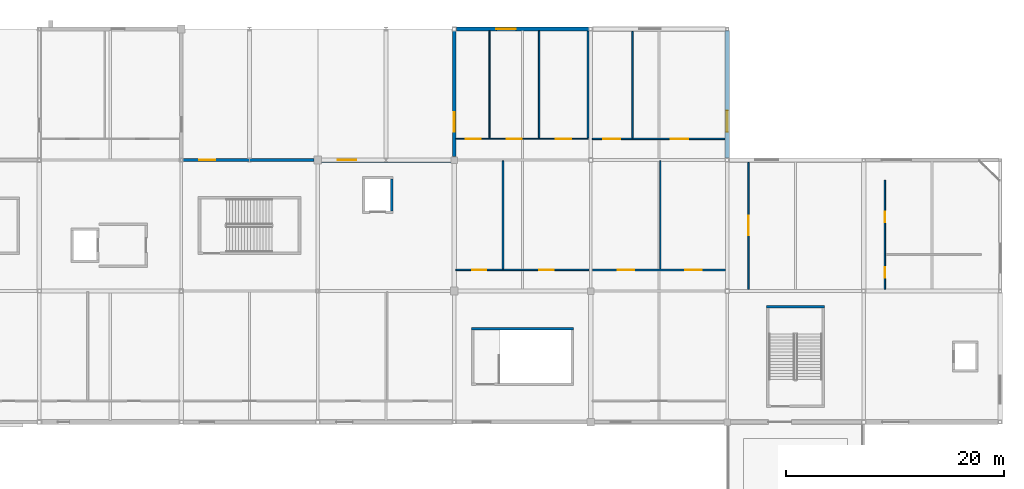
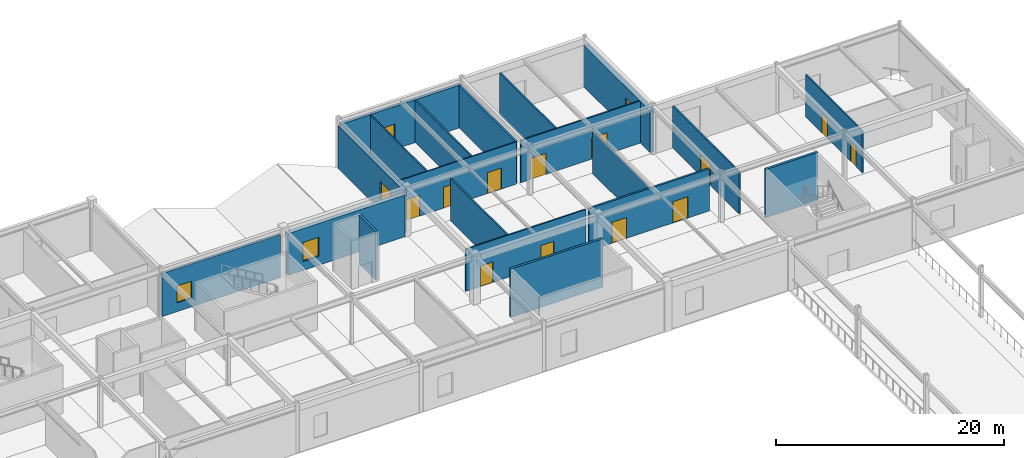
# One storey, part 83 of 105: 20 walls, 12 doors, 5 windows, 17 openings.
"""IFC4 building model written with IfcOpenShell, lengths in metres."""

import ifcopenshell
import ifcopenshell.guid

model = None  # the IFC model being written
_history = None  # IfcOwnerHistory: only IFC2X3 demands one
_inside = {}  # id of a spatial element -> (the spatial element, [elements in it])
_under = {}  # id of a project, library or spatial element -> (it, [spatial elements below it])
_declared = {}  # id of a project -> (the project, [libraries it declares])
_typed = {}  # id of a type object -> (the type object, [elements of that type])
_made_of = {}  # id of a material, layer set ... -> (it, [elements and type objects made of it])


def new_model(schema):
    """Start an empty IFC model of exactly this schema.

    Asked for "IFC4X3", IfcOpenShell would pick the latest addendum, in which some entities
    have other attributes; the version numbers below select the first issue.
    IFC2X3 requires an IfcOwnerHistory on every rooted entity: one is made here for all.
    """
    global model, _history
    if schema == "IFC4X3":
        model = ifcopenshell.file(schema_version=(4, 3, 0, 0))
    else:
        model = ifcopenshell.file(schema=schema)
    _inside.clear()
    _under.clear()
    _declared.clear()
    _typed.clear()
    _made_of.clear()
    _history = None
    if model.schema == "IFC2X3":
        org = make("IfcOrganization", Name="unknown")
        user = make(
            "IfcPersonAndOrganization",
            ThePerson=make("IfcPerson", FamilyName="unknown"),
            TheOrganization=org,
        )
        app = make(
            "IfcApplication",
            ApplicationDeveloper=org,
            Version="unknown",
            ApplicationFullName="unknown",
            ApplicationIdentifier="unknown",
        )
        _history = make(
            "IfcOwnerHistory",
            OwningUser=user,
            OwningApplication=app,
            ChangeAction="ADDED",
            CreationDate=0,
        )
    return model


def make(cls, **values):
    """One entity of the class cls with the attributes given. An attribute that is None is left unset."""
    return model.create_entity(
        cls, **{name: value for name, value in values.items() if value is not None}
    )


def rooted(cls, **values):
    """An entity with a GlobalId (a new one), such as an element, a storey or a relation."""
    return make(cls, GlobalId=ifcopenshell.guid.new(), OwnerHistory=_history, **values)


def si_unit(unit_type, name, prefix=None):
    """IfcSIUnit, for example si_unit("LENGTHUNIT", "METRE", prefix="MILLI")."""
    return make("IfcSIUnit", UnitType=unit_type, Prefix=prefix, Name=name)


def assignment(units):
    """IfcUnitAssignment: the units of a project."""
    return None if units is None else make("IfcUnitAssignment", Units=units)


def point(xyz):
    """IfcCartesianPoint."""
    return None if xyz is None else make("IfcCartesianPoint", Coordinates=xyz)


def direction(xyz):
    """IfcDirection."""
    return None if xyz is None else make("IfcDirection", DirectionRatios=xyz)


def frame(location, z_axis=None, x_axis=None):
    """IfcAxis2Placement3D, a coordinate frame: its origin and axes. An axis left out is left unset."""
    return make(
        "IfcAxis2Placement3D",
        Location=point(location),
        Axis=direction(z_axis),
        RefDirection=direction(x_axis),
    )


def frame_2d(location, x_axis=None):
    """IfcAxis2Placement2D, a coordinate frame in the plane: its origin and x axis."""
    return make(
        "IfcAxis2Placement2D", Location=point(location), RefDirection=direction(x_axis)
    )


def origin():
    """The frame at (0, 0, 0) with its axes left unset."""
    return frame((0.0, 0.0, 0.0))


def place(relative_to, where):
    """IfcLocalPlacement: puts the frame where relative to a parent placement (None: the world)."""
    return make(
        "IfcLocalPlacement", PlacementRelTo=relative_to, RelativePlacement=where
    )


def context(
    kind, dimensions, precision=None, world=None, true_north=None, identifier=None
):
    """IfcGeometricRepresentationContext, for example the 3D "Model" context."""
    return make(
        "IfcGeometricRepresentationContext",
        ContextIdentifier=identifier,
        ContextType=kind,
        CoordinateSpaceDimension=dimensions,
        Precision=precision,
        WorldCoordinateSystem=world,
        TrueNorth=true_north,
    )


def subcontext(parent, identifier, kind, view, scale=None):
    """IfcGeometricRepresentationSubContext, for example "Body" below "Model"."""
    return make(
        "IfcGeometricRepresentationSubContext",
        ContextIdentifier=identifier,
        ContextType=kind,
        ParentContext=parent,
        TargetScale=scale,
        TargetView=view,
    )


def project(units=None, contexts=None):
    """IfcProject with its units and contexts."""
    return rooted(
        "IfcProject",
        Name="project",
        RepresentationContexts=contexts,
        UnitsInContext=assignment(units),
    )


def spatial(cls, under=None, at=None, **own):
    """A site, building, storey or space (cls), placed at a placement, below another one or the project."""
    s = rooted(cls, ObjectPlacement=at, **own)
    if under is not None:
        _under.setdefault(under.id(), (under, []))[1].append(s)
    return s


def profile(cls, at=None, kind="AREA", **sizes):
    """A parametric profile (cls). Its sizes go by their IFC names, for example OverallWidth=200.0."""
    return make(cls, ProfileType=kind, Position=at, **sizes)


def rectangle(**sizes):
    """IfcRectangleProfileDef."""
    return profile("IfcRectangleProfileDef", **sizes)


def extrude(swept, where, along, depth):
    """IfcExtrudedAreaSolid: the profile swept, set in the frame where, extruded along a direction by depth."""
    return make(
        "IfcExtrudedAreaSolid",
        SweptArea=swept,
        Position=where,
        ExtrudedDirection=direction(along),
        Depth=depth,
    )


def shape(context_of_items, identifier, shape_type, items):
    """IfcShapeRepresentation: the items that make up one representation, for example the "Body"."""
    return make(
        "IfcShapeRepresentation",
        ContextOfItems=context_of_items,
        RepresentationIdentifier=identifier,
        RepresentationType=shape_type,
        Items=items,
    )


def material(Name=None, Category=None):
    """IfcMaterial."""
    return make("IfcMaterial", Name=Name, Category=Category)


def layer(
    of_material, thickness, ventilated=None, Name=None, Category=None, Priority=None
):
    """IfcMaterialLayer: one layer of a wall or slab, of a material (None: an air gap)."""
    return make(
        "IfcMaterialLayer",
        Material=of_material,
        LayerThickness=thickness,
        IsVentilated=ventilated,
        Name=Name,
        Category=Category,
        Priority=Priority,
    )


def layer_set(layers, Name=None):
    """IfcMaterialLayerSet."""
    return make("IfcMaterialLayerSet", MaterialLayers=layers, LayerSetName=Name)


def made_of(thing, what):
    """Note that an element or type object is made of a material, layer set ...; save() writes the relation."""
    if what is not None:
        _made_of.setdefault(what.id(), (what, []))[1].append(thing)
    return thing


def type_object(cls, material=None, **own):
    """A type object (cls), such as IfcWallType, which elements share."""
    return made_of(rooted(cls, **own), material)


def element(
    cls,
    number,
    at=None,
    inside=None,
    cuts=None,
    type_object=None,
    material=None,
    context=None,
    identifier="Body",
    shape_type=None,
    held_by="IfcProductDefinitionShape",
    body=None,
    shapes=None,
    **own,
):
    """One element of the class cls, such as IfcWall. Its Tag is "e" and its number.

    at: its placement. inside: the storey or other place that contains it. cuts: it is an
    opening in that element (IfcRelVoidsElement). A single representation is given by context,
    identifier, shape_type and body (its items); several are given by shapes. held_by: the class
    of the entity that holds the representations. save() writes the other relations.
    """
    e = rooted(cls, Tag="e%d" % number, ObjectPlacement=at, **own)
    if body is not None:
        shapes = [shape(context, identifier, shape_type, body)]
    if shapes is not None:
        e.Representation = make(held_by, Representations=shapes)
    if inside is not None:
        _inside.setdefault(inside.id(), (inside, []))[1].append(e)
    if cuts is not None:
        rooted(
            "IfcRelVoidsElement", RelatingBuildingElement=cuts, RelatedOpeningElement=e
        )
    if type_object is not None:
        _typed.setdefault(type_object.id(), (type_object, []))[1].append(e)
    return made_of(e, material)


def fill(opening, filler):
    """IfcRelFillsElement: the door or window that sits in an opening."""
    return rooted(
        "IfcRelFillsElement",
        RelatingOpeningElement=opening,
        RelatedBuildingElement=filler,
    )


def aggregate(whole, parts):
    """IfcRelAggregates: a whole, such as a stair, and the parts it consists of."""
    return rooted("IfcRelAggregates", RelatingObject=whole, RelatedObjects=parts)


def save(model, path):
    """Write the relations noted so far, then the file.

    IfcRelAggregates (storeys below a building ...), IfcRelContainedInSpatialStructure (elements
    in a storey), IfcRelDefinesByType, IfcRelAssociatesMaterial and IfcRelDeclares: one each for
    every whole, place, type object, material and project.
    """
    for whole, parts in _under.values():
        aggregate(whole, parts)
    for where, things in _inside.values():
        rooted(
            "IfcRelContainedInSpatialStructure",
            RelatedElements=things,
            RelatingStructure=where,
        )
    for kind, things in _typed.values():
        rooted("IfcRelDefinesByType", RelatedObjects=things, RelatingType=kind)
    for what, things in _made_of.values():
        rooted("IfcRelAssociatesMaterial", RelatedObjects=things, RelatingMaterial=what)
    for by, libraries in _declared.values():
        rooted("IfcRelDeclares", RelatingContext=by, RelatedDefinitions=libraries)
    model.write(path)


model = new_model("IFC4")

# Units and contexts
model_context = context("Model", 3, precision=1e-05, world=origin(), true_north=direction((0.0, 1.0)))
body_context = subcontext(model_context, "Body", "Model", "MODEL_VIEW")
ifc_project = project(units=[si_unit("LENGTHUNIT", "METRE"), si_unit("AREAUNIT", "SQUARE_METRE"), si_unit("VOLUMEUNIT", "CUBIC_METRE"), si_unit("PLANEANGLEUNIT", "RADIAN"), si_unit("MASSUNIT", "GRAM", prefix="KILO")], contexts=[model_context])

# Site, building, storey
site_placement = place(None, origin())
site = spatial("IfcSite", under=ifc_project, at=site_placement, CompositionType="ELEMENT")
building_placement = place(site_placement, origin())
building = spatial("IfcBuilding", under=site, at=building_placement, Name="Kazenohara Klinker Stadium", CompositionType="ELEMENT")
storey_placement = place(building_placement, frame((0.0, 0.0, 20.39990234375)))
storey = spatial("IfcBuildingStorey", under=building, at=storey_placement, Name="L04", CompositionType="ELEMENT", Elevation=20.39990234375)

# Walls
ifc_material_1 = material(Name="Concrete C40/50", Category="concrete")
ifc_layer_1 = layer(ifc_material_1, 0.22998046875)
ifc_layer_set_1 = layer_set([ifc_layer_1], Name="Concrete C40/50")
wall_type_1 = type_object("IfcWallType", Name="WAL-CORE-230", PredefinedType="SHEAR", material=ifc_layer_set_1)
wall_1_placement = place(storey_placement, frame((178.590087890625, 142.56494140625, 0.0), z_axis=(0.0, 0.0, 1.0), x_axis=(1.0, 0.0, 0.0)))
element("IfcWall", 1, at=wall_1_placement, inside=storey, type_object=wall_type_1, Name="Stairwell shear wall ST12 L04 North", PredefinedType="SHEAR", context=body_context, shape_type="SweptSolid", body=[
    extrude(rectangle(XDim=5.31982421875, YDim=0.22998046875, at=frame_2d((2.659912109375, 0.0))), origin(), (0.0, 0.0, 1.0), 5.18017578125),
])
wall_2_placement = place(storey_placement, frame((151.570068359375, 140.544921875, 0.0), z_axis=(0.0, 0.0, 1.0), x_axis=(1.0, 0.0, 0.0)))
element("IfcWall", 2, at=wall_2_placement, inside=storey, type_object=wall_type_1, Name="Stairwell shear wall ST20 L04 North", PredefinedType="SHEAR", context=body_context, shape_type="SweptSolid", body=[
    extrude(rectangle(XDim=9.35986328125, YDim=0.22998046875, at=frame_2d((4.679931640625, 0.0))), origin(), (0.0, 0.0, 1.0), 5.18017578125),
])
wall_3_placement = place(storey_placement, frame((144.264892578125, 151.35009765625, 0.0), z_axis=(0.0, 0.0, 1.0), x_axis=(0.0, 1.0, 0.0)))
element("IfcWall", 3, at=wall_3_placement, inside=storey, type_object=wall_type_1, Name="Elevator shaft wall LG02 L04 East", PredefinedType="SHEAR", context=body_context, shape_type="SweptSolid", body=[
    extrude(rectangle(XDim=2.89990234375, YDim=0.22998046875, at=frame_2d((1.449951171875, 0.0))), origin(), (0.0, 0.0, 1.0), 5.18017578125),
])

# Wall, opening, window
ifc_material_2 = material(Name="Clinker brick masonry", Category="masonry")
ifc_layer_2 = layer(ifc_material_2, 0.280029296875)
ifc_layer_set_2 = layer_set([ifc_layer_2], Name="Clinker brick masonry")
wall_type_2 = type_object("IfcWallType", Name="WAL-EXT-CB280", PredefinedType="SOLIDWALL", material=ifc_layer_set_2)
wall_4_placement = place(storey_placement, frame((125.12890625, 156.0, 0.0), z_axis=(0.0, 0.0, 1.0), x_axis=(1.0, 0.0, 0.0)))
wall_4 = element("IfcWall", 4, at=wall_4_placement, inside=storey, type_object=wall_type_2, Name="Clinker brick cavity wall EW06 L04 X10-13", PredefinedType="SOLIDWALL", context=body_context, shape_type="SweptSolid", body=[
    extrude(rectangle(XDim=12.01708984375, YDim=0.280029296875, at=frame_2d((6.008544921875, 0.0))), origin(), (0.0, 0.0, 1.0), 4.592041015625),
])
opening_1_placement = place(wall_4_placement, frame((1.5, 0.0, 0.949951171875)))
opening_1 = element("IfcOpeningElement", 5, at=opening_1_placement, cuts=wall_4, Name="Opening W09", PredefinedType="OPENING", context=body_context, shape_type="SweptSolid", body=[
    extrude(rectangle(XDim=1.5, YDim=1.800048828125, at=frame_2d((0.75, 0.89990234375))), frame((0.0, 0.14990234375, 0.0), z_axis=(0.0, -1.0, 0.0), x_axis=(1.0, 0.0, 0.0)), (0.0, 0.0, 1.0), 0.300048828125),
])
ifc_material_3 = material(Name="Dark bronze aluminium frame and triple glazing", Category="aluminium")
window_type_1 = type_object("IfcWindowType", Name="WIN-AS-09", PartitioningType="SINGLE_PANEL", PredefinedType="WINDOW", material=ifc_material_3)
window_1_placement = place(opening_1_placement, origin())
window_1 = element("IfcWindow", 6, at=window_1_placement, inside=storey, type_object=window_type_1, Name="Horizontal-mullion ladder window W09 L04 X10-13", OverallHeight=1.800048828125, OverallWidth=1.5, PartitioningType="SINGLE_PANEL", PredefinedType="WINDOW", context=body_context, shape_type="SweptSolid", body=[
    extrude(rectangle(XDim=1.5, YDim=1.800048828125, at=frame_2d((0.75, 0.89990234375))), frame((0.0, 0.030029296875, 0.0), z_axis=(0.0, -1.0, 0.0), x_axis=(1.0, 0.0, 0.0)), (0.0, 0.0, 1.0), 0.06005859375),
])
fill(opening_1, window_1)

ifc_layer_3 = layer(ifc_material_2, 0.31005859375)
ifc_layer_set_3 = layer_set([ifc_layer_3], Name="Clinker brick masonry")
wall_type_3 = type_object("IfcWallType", Name="WAL-EXT-CB310", PredefinedType="SOLIDWALL", material=ifc_layer_set_3)
wall_5_placement = place(storey_placement, frame((150.0, 156.303955078125, 0.0), z_axis=(0.0, 0.0, 1.0), x_axis=(0.0, 1.0, 0.0)))
wall_5 = element("IfcWall", 7, at=wall_5_placement, inside=storey, type_object=wall_type_3, Name="Clinker brick cavity wall EW05 L04 Y12-13", PredefinedType="SOLIDWALL", context=body_context, shape_type="SweptSolid", body=[
    extrude(rectangle(XDim=11.491943359375, YDim=0.31005859375, at=frame_2d((5.74609375, 0.0))), origin(), (0.0, 0.0, 1.0), 4.580078125),
])
opening_2_placement = place(wall_5_placement, frame((2.26611328125, 0.0, 0.949951171875)))
opening_2 = element("IfcOpeningElement", 8, at=opening_2_placement, cuts=wall_5, Name="Opening W14", PredefinedType="OPENING", context=body_context, shape_type="SweptSolid", body=[
    extrude(rectangle(XDim=1.800048828125, YDim=2.14990234375, at=frame_2d((0.89990234375, 1.074951171875))), frame((0.0, 0.1650390625, 0.0), z_axis=(0.0, -1.0, 0.0), x_axis=(1.0, 0.0, 0.0)), (0.0, 0.0, 1.0), 0.330078125),
])
window_type_2 = type_object("IfcWindowType", Name="WIN-AS-14", PartitioningType="SINGLE_PANEL", PredefinedType="WINDOW", material=ifc_material_3)
window_2_placement = place(opening_2_placement, origin())
window_2 = element("IfcWindow", 9, at=window_2_placement, inside=storey, type_object=window_type_2, Name="Horizontal-mullion ladder window W14 L04 Y12-13", OverallHeight=2.14990234375, OverallWidth=1.800048828125, PartitioningType="SINGLE_PANEL", PredefinedType="WINDOW", context=body_context, shape_type="SweptSolid", body=[
    extrude(rectangle(XDim=1.800048828125, YDim=2.14990234375, at=frame_2d((0.89990234375, 1.074951171875))), frame((0.0, 0.030029296875, 0.0), z_axis=(0.0, -1.0, 0.0), x_axis=(1.0, 0.0, 0.0)), (0.0, 0.0, 1.0), 0.06005859375),
])
fill(opening_2, window_2)

ifc_layer_4 = layer(ifc_material_2, 0.340087890625)
ifc_layer_set_4 = layer_set([ifc_layer_4], Name="Clinker brick masonry")
wall_type_4 = type_object("IfcWallType", Name="WAL-EXT-CB340", PredefinedType="SOLIDWALL", material=ifc_layer_set_4)
wall_6_placement = place(storey_placement, frame((150.2041015625, 168.0, 0.0), z_axis=(0.0, 0.0, 1.0), x_axis=(1.0, 0.0, 0.0)))
wall_6 = element("IfcWall", 10, at=wall_6_placement, inside=storey, type_object=wall_type_4, Name="Clinker brick cavity wall EW04 L04 X12-14", PredefinedType="SOLIDWALL", context=body_context, shape_type="SweptSolid", body=[
    extrude(rectangle(XDim=12.116943359375, YDim=0.340087890625, at=frame_2d((6.05859375, 0.0))), origin(), (0.0, 0.0, 1.0), 4.592041015625),
])
opening_3_placement = place(wall_6_placement, frame((3.650146484375, 0.0, 0.949951171875)))
opening_3 = element("IfcOpeningElement", 11, at=opening_3_placement, cuts=wall_6, Name="Opening W13", PredefinedType="OPENING", context=body_context, shape_type="SweptSolid", body=[
    extrude(rectangle(XDim=1.800048828125, YDim=1.75, at=frame_2d((0.89990234375, 0.875))), frame((0.0, 0.18017578125, 0.0), z_axis=(0.0, -1.0, 0.0), x_axis=(1.0, 0.0, 0.0)), (0.0, 0.0, 1.0), 0.360107421875),
])
window_type_3 = type_object("IfcWindowType", Name="WIN-AS-13", PartitioningType="SINGLE_PANEL", PredefinedType="WINDOW", material=ifc_material_3)
window_3_placement = place(opening_3_placement, origin())
window_3 = element("IfcWindow", 12, at=window_3_placement, inside=storey, type_object=window_type_3, Name="Horizontal-mullion ladder window W13 L04 X12-14", OverallHeight=1.75, OverallWidth=1.800048828125, PartitioningType="SINGLE_PANEL", PredefinedType="WINDOW", context=body_context, shape_type="SweptSolid", body=[
    extrude(rectangle(XDim=1.800048828125, YDim=1.75, at=frame_2d((0.89990234375, 0.875))), frame((0.0, 0.030029296875, 0.0), z_axis=(0.0, -1.0, 0.0), x_axis=(1.0, 0.0, 0.0)), (0.0, 0.0, 1.0), 0.06005859375),
])
fill(opening_3, window_3)

ifc_layer_5 = layer(ifc_material_2, 0.409912109375)
ifc_layer_set_5 = layer_set([ifc_layer_5], Name="Clinker brick masonry")
wall_type_5 = type_object("IfcWallType", Name="WAL-EXT-CB410", PredefinedType="SOLIDWALL", material=ifc_layer_set_5)
wall_7_placement = place(storey_placement, frame((137.85400390625, 156.0, 0.0), z_axis=(0.0, 0.0, 1.0), x_axis=(1.0, 0.0, 0.0)))
wall_7 = element("IfcWall", 13, at=wall_7_placement, inside=storey, type_object=wall_type_5, Name="Clinker brick cavity wall EW02 L04 X11-13", PredefinedType="SOLIDWALL", context=body_context, shape_type="SweptSolid", body=[
    extrude(rectangle(XDim=11.842041015625, YDim=0.409912109375, at=frame_2d((5.9208984375, 0.0))), origin(), (0.0, 0.0, 1.0), 4.47998046875),
])
opening_4_placement = place(wall_7_placement, frame((1.5, 0.0, 0.949951171875)))
opening_4 = element("IfcOpeningElement", 14, at=opening_4_placement, cuts=wall_7, Name="Opening W11", PredefinedType="OPENING", context=body_context, shape_type="SweptSolid", body=[
    extrude(rectangle(XDim=1.64990234375, YDim=2.050048828125, at=frame_2d((0.824951171875, 1.02490234375))), frame((0.0, 0.21484375, 0.0), z_axis=(0.0, -1.0, 0.0), x_axis=(1.0, 0.0, 0.0)), (0.0, 0.0, 1.0), 0.429931640625),
])
window_type_4 = type_object("IfcWindowType", Name="WIN-AS-11", PartitioningType="SINGLE_PANEL", PredefinedType="WINDOW", material=ifc_material_3)
window_4_placement = place(opening_4_placement, origin())
window_4 = element("IfcWindow", 15, at=window_4_placement, inside=storey, type_object=window_type_4, Name="Horizontal-mullion ladder window W11 L04 X11-13", OverallHeight=2.050048828125, OverallWidth=1.64990234375, PartitioningType="SINGLE_PANEL", PredefinedType="WINDOW", context=body_context, shape_type="SweptSolid", body=[
    extrude(rectangle(XDim=1.64990234375, YDim=2.050048828125, at=frame_2d((0.824951171875, 1.02490234375))), frame((0.0, 0.030029296875, 0.0), z_axis=(0.0, -1.0, 0.0), x_axis=(1.0, 0.0, 0.0)), (0.0, 0.0, 1.0), 0.06005859375),
])
fill(opening_4, window_4)

wall_8_placement = place(storey_placement, frame((175.0, 156.178955078125, 0.0), z_axis=(0.0, 0.0, 1.0), x_axis=(0.0, 1.0, 0.0)))
wall_8 = element("IfcWall", 16, at=wall_8_placement, inside=storey, type_object=wall_type_5, Name="Clinker brick cavity wall EW02 L04 Y14-13", PredefinedType="SOLIDWALL", context=body_context, shape_type="SweptSolid", body=[
    extrude(rectangle(XDim=11.6669921875, YDim=0.409912109375, at=frame_2d((5.83349609375, 0.0))), origin(), (0.0, 0.0, 1.0), 4.47998046875),
])
opening_5_placement = place(wall_8_placement, frame((2.39111328125, 0.0, 0.949951171875)))
opening_5 = element("IfcOpeningElement", 17, at=opening_5_placement, cuts=wall_8, Name="Opening W17", PredefinedType="OPENING", context=body_context, shape_type="SweptSolid", body=[
    extrude(rectangle(XDim=1.949951171875, YDim=2.35009765625, at=frame_2d((0.97509765625, 1.175048828125))), frame((0.0, 0.21484375, 0.0), z_axis=(0.0, -1.0, 0.0), x_axis=(1.0, 0.0, 0.0)), (0.0, 0.0, 1.0), 0.429931640625),
])
window_type_5 = type_object("IfcWindowType", Name="WIN-AS-17", PartitioningType="SINGLE_PANEL", PredefinedType="WINDOW", material=ifc_material_3)
window_5_placement = place(opening_5_placement, origin())
window_5 = element("IfcWindow", 18, at=window_5_placement, inside=storey, type_object=window_type_5, Name="Horizontal-mullion ladder window W17 L04 Y14-13", OverallHeight=2.35009765625, OverallWidth=1.949951171875, PartitioningType="SINGLE_PANEL", PredefinedType="WINDOW", context=body_context, shape_type="SweptSolid", body=[
    extrude(rectangle(XDim=1.949951171875, YDim=2.35009765625, at=frame_2d((0.97509765625, 1.175048828125))), frame((0.0, 0.030029296875, 0.0), z_axis=(0.0, -1.0, 0.0), x_axis=(1.0, 0.0, 0.0)), (0.0, 0.0, 1.0), 0.06005859375),
])
fill(opening_5, window_5)

# Wall, openings, doors
ifc_material_4 = material(Name="Fire-rated gypsum board on acoustic studs", Category="gypsum")
ifc_layer_6 = layer(ifc_material_4, 0.110107421875)
ifc_layer_set_6 = layer_set([ifc_layer_6], Name="Fire-rated gypsum board on acoustic studs")
wall_type_6 = type_object("IfcWallType", Name="WAL-INT-P110", PredefinedType="PARTITIONING", material=ifc_layer_set_6)
wall_9_placement = place(storey_placement, frame((150.156982421875, 157.93994140625, 0.0), z_axis=(0.0, 0.0, 1.0), x_axis=(1.0, 0.0, 0.0)))
wall_9 = element("IfcWall", 19, at=wall_9_placement, inside=storey, type_object=wall_type_6, Name="Interior partition wall PT01 SPC-L04-12-13-1-2", PredefinedType="PARTITIONING", context=body_context, shape_type="SweptSolid", body=[
    extrude(rectangle(XDim=12.10302734375, YDim=0.110107421875, at=frame_2d((6.051513671875, 0.0))), origin(), (0.0, 0.0, 1.0), 4.52001953125),
])
opening_6_placement = place(wall_9_placement, frame((0.920166015625, 0.0, 0.0)))
opening_6 = element("IfcOpeningElement", 20, at=opening_6_placement, cuts=wall_9, Name="Opening ID16", PredefinedType="OPENING", context=body_context, shape_type="SweptSolid", body=[
    extrude(rectangle(XDim=1.330078125, YDim=2.219970703125, at=frame_2d((0.6650390625, 1.10986328125))), frame((0.0, 0.06494140625, 0.0), z_axis=(0.0, -1.0, 0.0), x_axis=(1.0, 0.0, 0.0)), (0.0, 0.0, 1.0), 0.130126953125),
])
opening_7_placement = place(wall_9_placement, frame((4.6611328125, 0.0, 0.0)))
opening_7 = element("IfcOpeningElement", 21, at=opening_7_placement, cuts=wall_9, Name="Opening ID17", PredefinedType="OPENING", context=body_context, shape_type="SweptSolid", body=[
    extrude(rectangle(XDim=1.360107421875, YDim=2.25, at=frame_2d((0.68017578125, 1.125))), frame((0.0, 0.06494140625, 0.0), z_axis=(0.0, -1.0, 0.0), x_axis=(1.0, 0.0, 0.0)), (0.0, 0.0, 1.0), 0.130126953125),
])
opening_8_placement = place(wall_9_placement, frame((9.149169921875, 0.0, 0.0)))
opening_8 = element("IfcOpeningElement", 22, at=opening_8_placement, cuts=wall_9, Name="Opening ID18", PredefinedType="OPENING", context=body_context, shape_type="SweptSolid", body=[
    extrude(rectangle(XDim=1.39990234375, YDim=2.239990234375, at=frame_2d((0.699951171875, 1.1201171875))), frame((0.0, 0.06494140625, 0.0), z_axis=(0.0, -1.0, 0.0), x_axis=(1.0, 0.0, 0.0)), (0.0, 0.0, 1.0), 0.130126953125),
])
ifc_material_5 = material(Name="Solid-core Hokkaido oak fire door", Category="wood")
door_type_1 = type_object("IfcDoorType", Name="DR-INT-16", OperationType="NOTDEFINED", PredefinedType="DOOR", material=ifc_material_5)
door_1_placement = place(opening_6_placement, origin())
door_1 = element("IfcDoor", 23, at=door_1_placement, inside=storey, type_object=door_type_1, Name="Interior door ID16 Accessible Water Closet Restroom L04-1213A", OperationType="SINGLE_SWING_LEFT", OverallHeight=2.219970703125, OverallWidth=1.330078125, PredefinedType="DOOR", context=body_context, shape_type="SweptSolid", body=[
    extrude(rectangle(XDim=1.330078125, YDim=2.219970703125, at=frame_2d((0.6650390625, 1.10986328125))), frame((0.0, 0.02490234375, 0.0), z_axis=(0.0, -1.0, 0.0), x_axis=(1.0, 0.0, 0.0)), (0.0, 0.0, 1.0), 0.050048828125),
])
fill(opening_6, door_1)
door_type_2 = type_object("IfcDoorType", Name="DR-INT-17", OperationType="NOTDEFINED", PredefinedType="DOOR", material=ifc_material_5)
door_2_placement = place(opening_7_placement, origin())
door_2 = element("IfcDoor", 24, at=door_2_placement, inside=storey, type_object=door_type_2, Name="Interior door ID17 Water Closet Restroom Male L04-1213B", OperationType="SINGLE_SWING_RIGHT", OverallHeight=2.25, OverallWidth=1.360107421875, PredefinedType="DOOR", context=body_context, shape_type="SweptSolid", body=[
    extrude(rectangle(XDim=1.360107421875, YDim=2.25, at=frame_2d((0.68017578125, 1.125))), frame((0.0, 0.02490234375, 0.0), z_axis=(0.0, -1.0, 0.0), x_axis=(1.0, 0.0, 0.0)), (0.0, 0.0, 1.0), 0.050048828125),
])
fill(opening_7, door_2)
door_type_3 = type_object("IfcDoorType", Name="DR-INT-18", OperationType="NOTDEFINED", PredefinedType="DOOR", material=ifc_material_5)
door_3_placement = place(opening_8_placement, origin())
door_3 = element("IfcDoor", 25, at=door_3_placement, inside=storey, type_object=door_type_3, Name="Interior door ID18 Water Closet Restroom Female L04-1213C", OperationType="SINGLE_SWING_LEFT", OverallHeight=2.239990234375, OverallWidth=1.39990234375, PredefinedType="DOOR", context=body_context, shape_type="SweptSolid", body=[
    extrude(rectangle(XDim=1.39990234375, YDim=2.239990234375, at=frame_2d((0.699951171875, 1.1201171875))), frame((0.0, 0.02490234375, 0.0), z_axis=(0.0, -1.0, 0.0), x_axis=(1.0, 0.0, 0.0)), (0.0, 0.0, 1.0), 0.050048828125),
])
fill(opening_8, door_3)

# Walls
wall_10_placement = place(storey_placement, frame((168.871826171875, 146.0400390625, 0.0), z_axis=(0.0, 0.0, 1.0), x_axis=(0.0, 1.0, 0.0)))
element("IfcWall", 26, at=wall_10_placement, inside=storey, type_object=wall_type_6, Name="Interior partition wall PT01 SPC-L04-13-12-1-2", PredefinedType="PARTITIONING", context=body_context, shape_type="SweptSolid", body=[
    extrude(rectangle(XDim=9.8798828125, YDim=0.110107421875, at=frame_2d((4.93994140625, 0.0))), origin(), (0.0, 0.0, 1.0), 4.52001953125),
])
ifc_layer_7 = layer(ifc_material_4, 0.1201171875)
ifc_layer_set_7 = layer_set([ifc_layer_7], Name="Fire-rated gypsum board on acoustic studs")
wall_type_7 = type_object("IfcWallType", Name="WAL-INT-P120", PredefinedType="PARTITIONING", material=ifc_layer_set_7)
wall_11_placement = place(storey_placement, frame((153.22412109375, 158.0, 0.0), z_axis=(0.0, 0.0, 1.0), x_axis=(0.0, 1.0, 0.0)))
element("IfcWall", 27, at=wall_11_placement, inside=storey, type_object=wall_type_7, Name="Interior partition wall PT02 SPC-L04-12-13-1-3", PredefinedType="PARTITIONING", context=body_context, shape_type="SweptSolid", body=[
    extrude(rectangle(XDim=9.827880859375, YDim=0.1201171875, at=frame_2d((4.9140625, 0.0))), origin(), (0.0, 0.0, 1.0), 4.52001953125),
])

# Wall, openings, doors
wall_12_placement = place(storey_placement, frame((189.43994140625, 144.159912109375, 0.0), z_axis=(0.0, 0.0, 1.0), x_axis=(0.0, 1.0, 0.0)))
wall_12 = element("IfcWall", 28, at=wall_12_placement, inside=storey, type_object=wall_type_7, Name="Interior partition wall PT02 SPC-L04-15-12-1-1", PredefinedType="PARTITIONING", context=body_context, shape_type="SweptSolid", body=[
    extrude(rectangle(XDim=9.989990234375, YDim=0.1201171875, at=frame_2d((4.9951171875, 0.0))), origin(), (0.0, 0.0, 1.0), 4.52001953125),
])
opening_9_placement = place(wall_12_placement, frame((2.0234375, 0.0, 0.0), z_axis=(0.0, 0.0, 1.0), x_axis=(-1.0, 0.0, 0.0)))
opening_9 = element("IfcOpeningElement", 29, at=opening_9_placement, cuts=wall_12, Name="Opening ID03", PredefinedType="OPENING", context=body_context, shape_type="SweptSolid", body=[
    extrude(rectangle(XDim=0.949951171875, YDim=2.1201171875, at=frame_2d((0.47509765625, 1.06005859375))), frame((0.0, 0.070068359375, 0.0), z_axis=(0.0, -1.0, 0.0), x_axis=(1.0, 0.0, 0.0)), (0.0, 0.0, 1.0), 0.14013671875),
])
opening_10_placement = place(wall_12_placement, frame((7.11328125, 0.0, 0.0), z_axis=(0.0, 0.0, 1.0), x_axis=(-1.0, 0.0, 0.0)))
opening_10 = element("IfcOpeningElement", 30, at=opening_10_placement, cuts=wall_12, Name="Opening ID04", PredefinedType="OPENING", context=body_context, shape_type="SweptSolid", body=[
    extrude(rectangle(XDim=0.97998046875, YDim=2.10009765625, at=frame_2d((0.489990234375, 1.050048828125))), frame((0.0, 0.070068359375, 0.0), z_axis=(0.0, -1.0, 0.0), x_axis=(1.0, 0.0, 0.0)), (0.0, 0.0, 1.0), 0.14013671875),
])
door_type_4 = type_object("IfcDoorType", Name="DR-INT-03", OperationType="NOTDEFINED", PredefinedType="DOOR", material=ifc_material_5)
door_4_placement = place(opening_9_placement, origin())
door_4 = element("IfcDoor", 31, at=door_4_placement, inside=storey, type_object=door_type_4, Name="Interior door ID03 Winter-Garden Conservatory Tearoom L04-1512A", OperationType="SINGLE_SWING_RIGHT", OverallHeight=2.1201171875, OverallWidth=0.949951171875, PredefinedType="DOOR", context=body_context, shape_type="SweptSolid", body=[
    extrude(rectangle(XDim=0.949951171875, YDim=2.1201171875, at=frame_2d((0.47509765625, 1.06005859375))), frame((0.0, 0.02490234375, 0.0), z_axis=(0.0, -1.0, 0.0), x_axis=(1.0, 0.0, 0.0)), (0.0, 0.0, 1.0), 0.050048828125),
])
fill(opening_9, door_4)
door_type_5 = type_object("IfcDoorType", Name="DR-INT-04", OperationType="NOTDEFINED", PredefinedType="DOOR", material=ifc_material_5)
door_5_placement = place(opening_10_placement, origin())
door_5 = element("IfcDoor", 32, at=door_5_placement, inside=storey, type_object=door_type_5, Name="Interior door ID04 Executive Club Dining Suite L04-1512B", OperationType="SINGLE_SWING_LEFT", OverallHeight=2.10009765625, OverallWidth=0.97998046875, PredefinedType="DOOR", context=body_context, shape_type="SweptSolid", body=[
    extrude(rectangle(XDim=0.97998046875, YDim=2.10009765625, at=frame_2d((0.489990234375, 1.050048828125))), frame((0.0, 0.02490234375, 0.0), z_axis=(0.0, -1.0, 0.0), x_axis=(1.0, 0.0, 0.0)), (0.0, 0.0, 1.0), 0.050048828125),
])
fill(opening_10, door_5)

ifc_layer_8 = layer(ifc_material_4, 0.139892578125)
ifc_layer_set_8 = layer_set([ifc_layer_8], Name="Fire-rated gypsum board on acoustic studs")
wall_type_8 = type_object("IfcWallType", Name="WAL-INT-P140", PredefinedType="PARTITIONING", material=ifc_layer_set_8)
wall_13_placement = place(storey_placement, frame((150.159912109375, 145.93994140625, 0.0), z_axis=(0.0, 0.0, 1.0), x_axis=(1.0, 0.0, 0.0)))
wall_13 = element("IfcWall", 33, at=wall_13_placement, inside=storey, type_object=wall_type_8, Name="Interior partition wall PT03 SPC-L04-12-12-1-1", PredefinedType="PARTITIONING", context=body_context, shape_type="SweptSolid", body=[
    extrude(rectangle(XDim=12.18017578125, YDim=0.139892578125, at=frame_2d((6.090087890625, 0.0))), origin(), (0.0, 0.0, 1.0), 4.52001953125),
])
opening_11_placement = place(wall_13_placement, frame((1.480712890625, 0.0, 0.0)))
opening_11 = element("IfcOpeningElement", 34, at=opening_11_placement, cuts=wall_13, Name="Opening ID14", PredefinedType="OPENING", context=body_context, shape_type="SweptSolid", body=[
    extrude(rectangle(XDim=1.27001953125, YDim=2.199951171875, at=frame_2d((0.635009765625, 1.10009765625))), frame((0.0, 0.080078125, 0.0), z_axis=(0.0, -1.0, 0.0), x_axis=(1.0, 0.0, 0.0)), (0.0, 0.0, 1.0), 0.159912109375),
])
opening_12_placement = place(wall_13_placement, frame((7.635986328125, 0.0, 0.0)))
opening_12 = element("IfcOpeningElement", 35, at=opening_12_placement, cuts=wall_13, Name="Opening ID15", PredefinedType="OPENING", context=body_context, shape_type="SweptSolid", body=[
    extrude(rectangle(XDim=1.300048828125, YDim=2.239990234375, at=frame_2d((0.64990234375, 1.1201171875))), frame((0.0, 0.080078125, 0.0), z_axis=(0.0, -1.0, 0.0), x_axis=(1.0, 0.0, 0.0)), (0.0, 0.0, 1.0), 0.159912109375),
])
door_type_6 = type_object("IfcDoorType", Name="DR-INT-14", OperationType="NOTDEFINED", PredefinedType="DOOR", material=ifc_material_5)
door_6_placement = place(opening_11_placement, origin())
door_6 = element("IfcDoor", 36, at=door_6_placement, inside=storey, type_object=door_type_6, Name="Interior door ID14 Winter-Garden Conservatory Tearoom L04-1212A", OperationType="SINGLE_SWING_LEFT", OverallHeight=2.199951171875, OverallWidth=1.27001953125, PredefinedType="DOOR", context=body_context, shape_type="SweptSolid", body=[
    extrude(rectangle(XDim=1.27001953125, YDim=2.199951171875, at=frame_2d((0.635009765625, 1.10009765625))), frame((0.0, 0.02490234375, 0.0), z_axis=(0.0, -1.0, 0.0), x_axis=(1.0, 0.0, 0.0)), (0.0, 0.0, 1.0), 0.050048828125),
])
fill(opening_11, door_6)
door_type_7 = type_object("IfcDoorType", Name="DR-INT-15", OperationType="NOTDEFINED", PredefinedType="DOOR", material=ifc_material_5)
door_7_placement = place(opening_12_placement, origin())
door_7 = element("IfcDoor", 37, at=door_7_placement, inside=storey, type_object=door_type_7, Name="Interior door ID15 Championship Trophy Exhibition Gallery L04-1212B", OperationType="SINGLE_SWING_RIGHT", OverallHeight=2.239990234375, OverallWidth=1.300048828125, PredefinedType="DOOR", context=body_context, shape_type="SweptSolid", body=[
    extrude(rectangle(XDim=1.300048828125, YDim=2.239990234375, at=frame_2d((0.64990234375, 1.1201171875))), frame((0.0, 0.02490234375, 0.0), z_axis=(0.0, -1.0, 0.0), x_axis=(1.0, 0.0, 0.0)), (0.0, 0.0, 1.0), 0.050048828125),
])
fill(opening_12, door_7)

# Wall
wall_14_placement = place(storey_placement, frame((157.772216796875, 158.0, 0.0), z_axis=(0.0, 0.0, 1.0), x_axis=(0.0, 1.0, 0.0)))
element("IfcWall", 38, at=wall_14_placement, inside=storey, type_object=wall_type_8, Name="Interior partition wall PT03 SPC-L04-12-13-1-4", PredefinedType="PARTITIONING", context=body_context, shape_type="SweptSolid", body=[
    extrude(rectangle(XDim=9.827880859375, YDim=0.139892578125, at=frame_2d((4.9140625, 0.0))), origin(), (0.0, 0.0, 1.0), 4.52001953125),
])

# Wall, openings, doors
wall_15_placement = place(storey_placement, frame((162.659912109375, 157.93994140625, 0.0), z_axis=(0.0, 0.0, 1.0), x_axis=(1.0, 0.0, 0.0)))
wall_15 = element("IfcWall", 39, at=wall_15_placement, inside=storey, type_object=wall_type_8, Name="Interior partition wall PT03 SPC-L04-13-13-1-1", PredefinedType="PARTITIONING", context=body_context, shape_type="SweptSolid", body=[
    extrude(rectangle(XDim=12.133056640625, YDim=0.139892578125, at=frame_2d((6.06640625, 0.0))), origin(), (0.0, 0.0, 1.0), 4.52001953125),
])
opening_13_placement = place(wall_15_placement, frame((1.007080078125, 0.0, 0.0)))
opening_13 = element("IfcOpeningElement", 40, at=opening_13_placement, cuts=wall_15, Name="Opening ID22", PredefinedType="OPENING", context=body_context, shape_type="SweptSolid", body=[
    extrude(rectangle(XDim=1.56005859375, YDim=2.260009765625, at=frame_2d((0.780029296875, 1.1298828125))), frame((0.0, 0.080078125, 0.0), z_axis=(0.0, -1.0, 0.0), x_axis=(1.0, 0.0, 0.0)), (0.0, 0.0, 1.0), 0.159912109375),
])
opening_14_placement = place(wall_15_placement, frame((7.156982421875, 0.0, 0.0)))
opening_14 = element("IfcOpeningElement", 41, at=opening_14_placement, cuts=wall_15, Name="Opening ID23", PredefinedType="OPENING", context=body_context, shape_type="SweptSolid", body=[
    extrude(rectangle(XDim=1.60009765625, YDim=2.300048828125, at=frame_2d((0.800048828125, 1.14990234375))), frame((0.0, 0.080078125, 0.0), z_axis=(0.0, -1.0, 0.0), x_axis=(1.0, 0.0, 0.0)), (0.0, 0.0, 1.0), 0.159912109375),
])
ifc_material_6 = material(Name="Painted steel plant fire door", Category="steel")
door_type_8 = type_object("IfcDoorType", Name="DR-INT-22", OperationType="NOTDEFINED", PredefinedType="DOOR", material=ifc_material_6)
door_8_placement = place(opening_13_placement, origin())
door_8 = element("IfcDoor", 42, at=door_8_placement, inside=storey, type_object=door_type_8, Name="Interior door ID22 Heat-Recovery Air Handling Plant L04-1313A", OperationType="SINGLE_SWING_LEFT", OverallHeight=2.260009765625, OverallWidth=1.56005859375, PredefinedType="DOOR", context=body_context, shape_type="SweptSolid", body=[
    extrude(rectangle(XDim=1.56005859375, YDim=2.260009765625, at=frame_2d((0.780029296875, 1.1298828125))), frame((0.0, 0.02490234375, 0.0), z_axis=(0.0, -1.0, 0.0), x_axis=(1.0, 0.0, 0.0)), (0.0, 0.0, 1.0), 0.050048828125),
])
fill(opening_13, door_8)
door_type_9 = type_object("IfcDoorType", Name="DR-INT-23", OperationType="NOTDEFINED", PredefinedType="DOOR", material=ifc_material_6)
door_9_placement = place(opening_14_placement, origin())
door_9 = element("IfcDoor", 43, at=door_9_placement, inside=storey, type_object=door_type_9, Name="Interior door ID23 Terrace Garden Sky Banquet Hall L04-1313B", OperationType="SINGLE_SWING_RIGHT", OverallHeight=2.300048828125, OverallWidth=1.60009765625, PredefinedType="DOOR", context=body_context, shape_type="SweptSolid", body=[
    extrude(rectangle(XDim=1.60009765625, YDim=2.300048828125, at=frame_2d((0.800048828125, 1.14990234375))), frame((0.0, 0.02490234375, 0.0), z_axis=(0.0, -1.0, 0.0), x_axis=(1.0, 0.0, 0.0)), (0.0, 0.0, 1.0), 0.050048828125),
])
fill(opening_14, door_9)

# Wall, opening, door
wall_16_placement = place(storey_placement, frame((176.93994140625, 144.159912109375, 0.0), z_axis=(0.0, 0.0, 1.0), x_axis=(0.0, 1.0, 0.0)))
wall_16 = element("IfcWall", 44, at=wall_16_placement, inside=storey, type_object=wall_type_8, Name="Interior partition wall PT03 SPC-L04-14-12-1-1", PredefinedType="PARTITIONING", context=body_context, shape_type="SweptSolid", body=[
    extrude(rectangle(XDim=11.633056640625, YDim=0.139892578125, at=frame_2d((5.81640625, 0.0))), origin(), (0.0, 0.0, 1.0), 4.52001953125),
])
opening_15_placement = place(wall_16_placement, frame((6.719970703125, 0.0, 0.0), z_axis=(0.0, 0.0, 1.0), x_axis=(-1.0, 0.0, 0.0)))
opening_15 = element("IfcOpeningElement", 45, at=opening_15_placement, cuts=wall_16, Name="Opening ID26", PredefinedType="OPENING", context=body_context, shape_type="SweptSolid", body=[
    extrude(rectangle(XDim=1.760009765625, YDim=2.300048828125, at=frame_2d((0.8798828125, 1.14990234375))), frame((0.0, 0.080078125, 0.0), z_axis=(0.0, -1.0, 0.0), x_axis=(1.0, 0.0, 0.0)), (0.0, 0.0, 1.0), 0.159912109375),
])
door_type_10 = type_object("IfcDoorType", Name="DR-INT-26", OperationType="NOTDEFINED", PredefinedType="DOOR", material=ifc_material_6)
door_10_placement = place(opening_15_placement, origin())
door_10 = element("IfcDoor", 46, at=door_10_placement, inside=storey, type_object=door_type_10, Name="Interior door ID26 Presidential Reception Hospitality Salon L04-1412A", OperationType="SINGLE_SWING_LEFT", OverallHeight=2.300048828125, OverallWidth=1.760009765625, PredefinedType="DOOR", context=body_context, shape_type="SweptSolid", body=[
    extrude(rectangle(XDim=1.760009765625, YDim=2.300048828125, at=frame_2d((0.8798828125, 1.14990234375))), frame((0.0, 0.02490234375, 0.0), z_axis=(0.0, -1.0, 0.0), x_axis=(1.0, 0.0, 0.0)), (0.0, 0.0, 1.0), 0.050048828125),
])
fill(opening_15, door_10)

# Walls
ifc_layer_9 = layer(ifc_material_4, 0.14990234375)
ifc_layer_set_9 = layer_set([ifc_layer_9], Name="Fire-rated gypsum board on acoustic studs")
wall_type_9 = type_object("IfcWallType", Name="WAL-INT-P150", PredefinedType="PARTITIONING", material=ifc_layer_set_9)
wall_17_placement = place(storey_placement, frame((154.4716796875, 146.014892578125, 0.0), z_axis=(0.0, 0.0, 1.0), x_axis=(0.0, 1.0, 0.0)))
element("IfcWall", 47, at=wall_17_placement, inside=storey, type_object=wall_type_9, Name="Interior partition wall PT04 SPC-L04-12-12-1-2", PredefinedType="PARTITIONING", context=body_context, shape_type="SweptSolid", body=[
    extrude(rectangle(XDim=9.905029296875, YDim=0.14990234375, at=frame_2d((4.95263671875, 0.0))), origin(), (0.0, 0.0, 1.0), 4.52001953125),
])
wall_18_placement = place(storey_placement, frame((166.31396484375, 158.014892578125, 0.0), z_axis=(0.0, 0.0, 1.0), x_axis=(0.0, 1.0, 0.0)))
element("IfcWall", 48, at=wall_18_placement, inside=storey, type_object=wall_type_9, Name="Interior partition wall PT04 SPC-L04-13-13-1-2", PredefinedType="PARTITIONING", context=body_context, shape_type="SweptSolid", body=[
    extrude(rectangle(XDim=9.758056640625, YDim=0.14990234375, at=frame_2d((4.87890625, 0.0))), origin(), (0.0, 0.0, 1.0), 4.52001953125),
])
ifc_layer_10 = layer(ifc_material_4, 0.18994140625)
ifc_layer_set_10 = layer_set([ifc_layer_10], Name="Fire-rated gypsum board on acoustic studs")
wall_type_10 = type_object("IfcWallType", Name="WAL-INT-P190", PredefinedType="PARTITIONING", material=ifc_layer_set_10)
wall_19_placement = place(storey_placement, frame((162.260009765625, 158.0, 0.0), z_axis=(0.0, 0.0, 1.0), x_axis=(0.0, 1.0, 0.0)))
element("IfcWall", 49, at=wall_19_placement, inside=storey, type_object=wall_type_10, Name="Interior partition wall PT06 SPC-L04-12-13-1-1", PredefinedType="PARTITIONING", context=body_context, shape_type="SweptSolid", body=[
    extrude(rectangle(XDim=9.821044921875, YDim=0.18994140625, at=frame_2d((4.91064453125, 0.0))), origin(), (0.0, 0.0, 1.0), 4.52001953125),
])

# Wall, openings, doors
wall_20_placement = place(storey_placement, frame((162.659912109375, 145.93994140625, 0.0), z_axis=(0.0, 0.0, 1.0), x_axis=(1.0, 0.0, 0.0)))
wall_20 = element("IfcWall", 50, at=wall_20_placement, inside=storey, type_object=wall_type_10, Name="Interior partition wall PT06 SPC-L04-13-12-1-1", PredefinedType="PARTITIONING", context=body_context, shape_type="SweptSolid", body=[
    extrude(rectangle(XDim=12.18017578125, YDim=0.18994140625, at=frame_2d((6.090087890625, 0.0))), origin(), (0.0, 0.0, 1.0), 4.52001953125),
])
opening_16_placement = place(wall_20_placement, frame((2.325927734375, 0.0, 0.0)))
opening_16 = element("IfcOpeningElement", 51, at=opening_16_placement, cuts=wall_20, Name="Opening ID20", PredefinedType="OPENING", context=body_context, shape_type="SweptSolid", body=[
    extrude(rectangle(XDim=1.47998046875, YDim=2.239990234375, at=frame_2d((0.739990234375, 1.1201171875))), frame((0.0, 0.10498046875, 0.0), z_axis=(0.0, -1.0, 0.0), x_axis=(1.0, 0.0, 0.0)), (0.0, 0.0, 1.0), 0.2099609375),
])
opening_17_placement = place(wall_20_placement, frame((8.475830078125, 0.0, 0.0)))
opening_17 = element("IfcOpeningElement", 52, at=opening_17_placement, cuts=wall_20, Name="Opening ID21", PredefinedType="OPENING", context=body_context, shape_type="SweptSolid", body=[
    extrude(rectangle(XDim=1.52001953125, YDim=2.280029296875, at=frame_2d((0.760009765625, 1.14013671875))), frame((0.0, 0.10498046875, 0.0), z_axis=(0.0, -1.0, 0.0), x_axis=(1.0, 0.0, 0.0)), (0.0, 0.0, 1.0), 0.2099609375),
])
door_type_11 = type_object("IfcDoorType", Name="DR-INT-20", OperationType="NOTDEFINED", PredefinedType="DOOR", material=ifc_material_6)
door_11_placement = place(opening_16_placement, origin())
door_11 = element("IfcDoor", 53, at=door_11_placement, inside=storey, type_object=door_type_11, Name="Interior door ID20 Executive Club Dining Suite L04-1312A", OperationType="SINGLE_SWING_LEFT", OverallHeight=2.239990234375, OverallWidth=1.47998046875, PredefinedType="DOOR", context=body_context, shape_type="SweptSolid", body=[
    extrude(rectangle(XDim=1.47998046875, YDim=2.239990234375, at=frame_2d((0.739990234375, 1.1201171875))), frame((0.0, 0.02490234375, 0.0), z_axis=(0.0, -1.0, 0.0), x_axis=(1.0, 0.0, 0.0)), (0.0, 0.0, 1.0), 0.050048828125),
])
fill(opening_16, door_11)
door_type_12 = type_object("IfcDoorType", Name="DR-INT-21", OperationType="NOTDEFINED", PredefinedType="DOOR", material=ifc_material_6)
door_12_placement = place(opening_17_placement, origin())
door_12 = element("IfcDoor", 54, at=door_12_placement, inside=storey, type_object=door_type_12, Name="Interior door ID21 Roof Garden Culinary Catering Kitchen L04-1312B", OperationType="SINGLE_SWING_RIGHT", OverallHeight=2.280029296875, OverallWidth=1.52001953125, PredefinedType="DOOR", context=body_context, shape_type="SweptSolid", body=[
    extrude(rectangle(XDim=1.52001953125, YDim=2.280029296875, at=frame_2d((0.760009765625, 1.14013671875))), frame((0.0, 0.02490234375, 0.0), z_axis=(0.0, -1.0, 0.0), x_axis=(1.0, 0.0, 0.0)), (0.0, 0.0, 1.0), 0.050048828125),
])
fill(opening_17, door_12)

save(model, "model.ifc")
